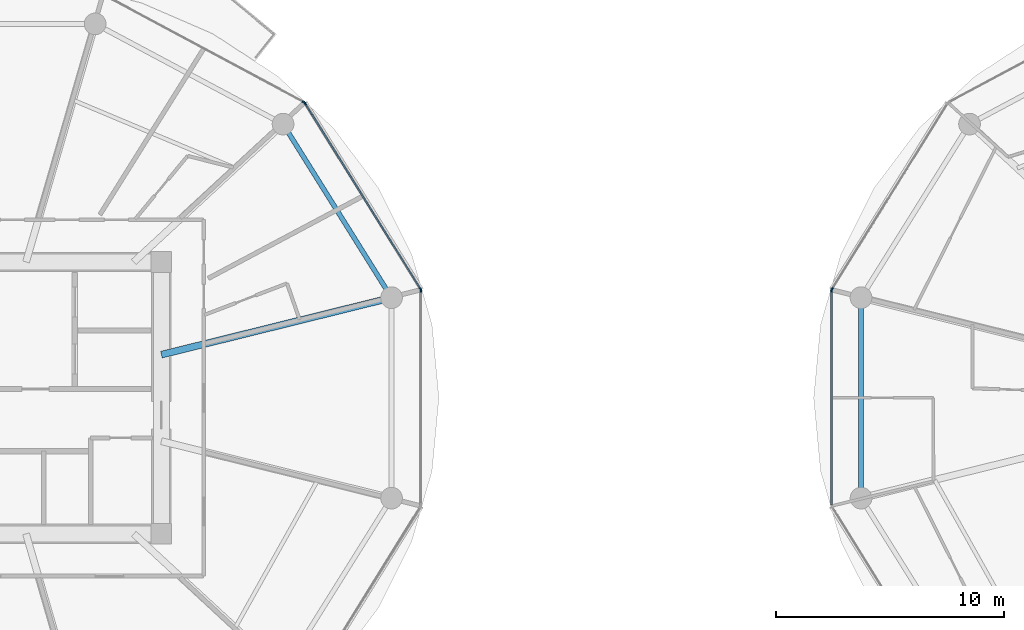
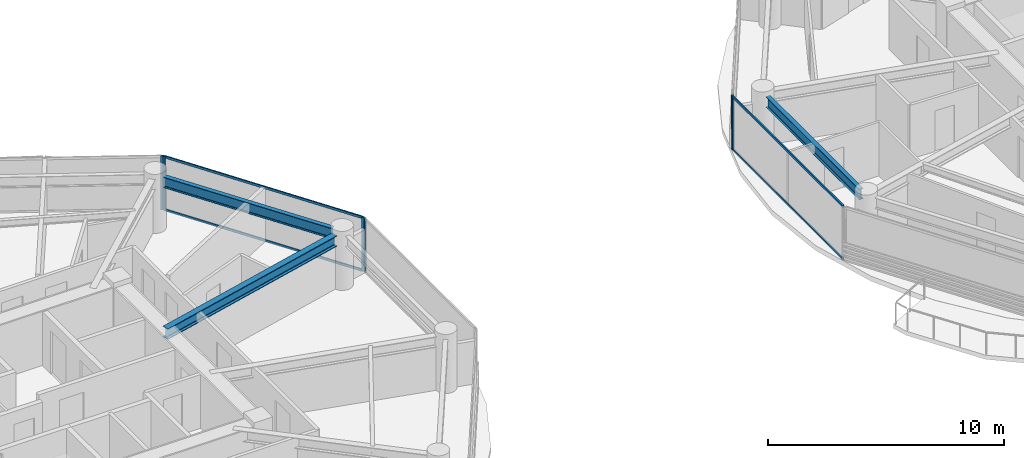
# One storey, part 7 of 26: 10 members, 3 beams, 5 elements without a shape of their own.
"""IFC4 building model written with IfcOpenShell, lengths in metres."""

import ifcopenshell
import ifcopenshell.guid

model = None  # the IFC model being written
_history = None  # IfcOwnerHistory: only IFC2X3 demands one
_inside = {}  # id of a spatial element -> (the spatial element, [elements in it])
_under = {}  # id of a project, library or spatial element -> (it, [spatial elements below it])
_declared = {}  # id of a project -> (the project, [libraries it declares])
_typed = {}  # id of a type object -> (the type object, [elements of that type])
_made_of = {}  # id of a material, layer set ... -> (it, [elements and type objects made of it])


def new_model(schema):
    """Start an empty IFC model of exactly this schema.

    Asked for "IFC4X3", IfcOpenShell would pick the latest addendum, in which some entities
    have other attributes; the version numbers below select the first issue.
    IFC2X3 requires an IfcOwnerHistory on every rooted entity: one is made here for all.
    """
    global model, _history
    if schema == "IFC4X3":
        model = ifcopenshell.file(schema_version=(4, 3, 0, 0))
    else:
        model = ifcopenshell.file(schema=schema)
    _inside.clear()
    _under.clear()
    _declared.clear()
    _typed.clear()
    _made_of.clear()
    _history = None
    if model.schema == "IFC2X3":
        org = make("IfcOrganization", Name="unknown")
        user = make(
            "IfcPersonAndOrganization",
            ThePerson=make("IfcPerson", FamilyName="unknown"),
            TheOrganization=org,
        )
        app = make(
            "IfcApplication",
            ApplicationDeveloper=org,
            Version="unknown",
            ApplicationFullName="unknown",
            ApplicationIdentifier="unknown",
        )
        _history = make(
            "IfcOwnerHistory",
            OwningUser=user,
            OwningApplication=app,
            ChangeAction="ADDED",
            CreationDate=0,
        )
    return model


def make(cls, **values):
    """One entity of the class cls with the attributes given. An attribute that is None is left unset."""
    return model.create_entity(
        cls, **{name: value for name, value in values.items() if value is not None}
    )


def rooted(cls, **values):
    """An entity with a GlobalId (a new one), such as an element, a storey or a relation."""
    return make(cls, GlobalId=ifcopenshell.guid.new(), OwnerHistory=_history, **values)


def si_unit(unit_type, name, prefix=None):
    """IfcSIUnit, for example si_unit("LENGTHUNIT", "METRE", prefix="MILLI")."""
    return make("IfcSIUnit", UnitType=unit_type, Prefix=prefix, Name=name)


def assignment(units):
    """IfcUnitAssignment: the units of a project."""
    return None if units is None else make("IfcUnitAssignment", Units=units)


def point(xyz):
    """IfcCartesianPoint."""
    return None if xyz is None else make("IfcCartesianPoint", Coordinates=xyz)


def direction(xyz):
    """IfcDirection."""
    return None if xyz is None else make("IfcDirection", DirectionRatios=xyz)


def frame(location, z_axis=None, x_axis=None):
    """IfcAxis2Placement3D, a coordinate frame: its origin and axes. An axis left out is left unset."""
    return make(
        "IfcAxis2Placement3D",
        Location=point(location),
        Axis=direction(z_axis),
        RefDirection=direction(x_axis),
    )


def frame_2d(location, x_axis=None):
    """IfcAxis2Placement2D, a coordinate frame in the plane: its origin and x axis."""
    return make(
        "IfcAxis2Placement2D", Location=point(location), RefDirection=direction(x_axis)
    )


def origin():
    """The frame at (0, 0, 0) with its axes left unset."""
    return frame((0.0, 0.0, 0.0))


def origin_2d():
    """The frame at (0, 0) in the plane with its x axis left unset."""
    return frame_2d((0.0, 0.0))


def place(relative_to, where):
    """IfcLocalPlacement: puts the frame where relative to a parent placement (None: the world)."""
    return make(
        "IfcLocalPlacement", PlacementRelTo=relative_to, RelativePlacement=where
    )


def context(
    kind, dimensions, precision=None, world=None, true_north=None, identifier=None
):
    """IfcGeometricRepresentationContext, for example the 3D "Model" context."""
    return make(
        "IfcGeometricRepresentationContext",
        ContextIdentifier=identifier,
        ContextType=kind,
        CoordinateSpaceDimension=dimensions,
        Precision=precision,
        WorldCoordinateSystem=world,
        TrueNorth=true_north,
    )


def subcontext(parent, identifier, kind, view, scale=None):
    """IfcGeometricRepresentationSubContext, for example "Body" below "Model"."""
    return make(
        "IfcGeometricRepresentationSubContext",
        ContextIdentifier=identifier,
        ContextType=kind,
        ParentContext=parent,
        TargetScale=scale,
        TargetView=view,
    )


def project(units=None, contexts=None):
    """IfcProject with its units and contexts."""
    return rooted(
        "IfcProject",
        Name="project",
        RepresentationContexts=contexts,
        UnitsInContext=assignment(units),
    )


def spatial(cls, under=None, at=None, **own):
    """A site, building, storey or space (cls), placed at a placement, below another one or the project."""
    s = rooted(cls, ObjectPlacement=at, **own)
    if under is not None:
        _under.setdefault(under.id(), (under, []))[1].append(s)
    return s


def profile(cls, at=None, kind="AREA", **sizes):
    """A parametric profile (cls). Its sizes go by their IFC names, for example OverallWidth=200.0."""
    return make(cls, ProfileType=kind, Position=at, **sizes)


def rectangle(**sizes):
    """IfcRectangleProfileDef."""
    return profile("IfcRectangleProfileDef", **sizes)


def i_section(**sizes):
    """IfcIShapeProfileDef."""
    return profile("IfcIShapeProfileDef", **sizes)


def extrude(swept, where, along, depth):
    """IfcExtrudedAreaSolid: the profile swept, set in the frame where, extruded along a direction by depth."""
    return make(
        "IfcExtrudedAreaSolid",
        SweptArea=swept,
        Position=where,
        ExtrudedDirection=direction(along),
        Depth=depth,
    )


def shape(context_of_items, identifier, shape_type, items):
    """IfcShapeRepresentation: the items that make up one representation, for example the "Body"."""
    return make(
        "IfcShapeRepresentation",
        ContextOfItems=context_of_items,
        RepresentationIdentifier=identifier,
        RepresentationType=shape_type,
        Items=items,
    )


def source(mapping_origin, context_of_items, identifier, shape_type, items):
    """IfcRepresentationMap: a shape defined once, which mapped items show again and again."""
    return make(
        "IfcRepresentationMap",
        MappingOrigin=mapping_origin,
        MappedRepresentation=shape(context_of_items, identifier, shape_type, items),
    )


def transform(
    local_origin,
    x_axis=None,
    y_axis=None,
    z_axis=None,
    scale=None,
    scale2=None,
    scale3=None,
    uniform=True,
):
    """IfcCartesianTransformationOperator3D, or its non-uniform kind. x_axis, y_axis, z_axis: its Axis1, 2, 3."""
    if uniform:
        return make(
            "IfcCartesianTransformationOperator3D",
            Axis1=direction(x_axis),
            Axis2=direction(y_axis),
            LocalOrigin=point(local_origin),
            Scale=scale,
            Axis3=direction(z_axis),
        )
    return make(
        "IfcCartesianTransformationOperator3DnonUniform",
        Axis1=direction(x_axis),
        Axis2=direction(y_axis),
        LocalOrigin=point(local_origin),
        Scale=scale,
        Axis3=direction(z_axis),
        Scale2=scale2,
        Scale3=scale3,
    )


def mapped(mapping_source, mapping_target):
    """IfcMappedItem: shows the shape of a source again, moved by a transform."""
    return make(
        "IfcMappedItem", MappingSource=mapping_source, MappingTarget=mapping_target
    )


def material(Name=None, Category=None):
    """IfcMaterial."""
    return make("IfcMaterial", Name=Name, Category=Category)


def layer(
    of_material, thickness, ventilated=None, Name=None, Category=None, Priority=None
):
    """IfcMaterialLayer: one layer of a wall or slab, of a material (None: an air gap)."""
    return make(
        "IfcMaterialLayer",
        Material=of_material,
        LayerThickness=thickness,
        IsVentilated=ventilated,
        Name=Name,
        Category=Category,
        Priority=Priority,
    )


def layer_set(layers, Name=None):
    """IfcMaterialLayerSet."""
    return make("IfcMaterialLayerSet", MaterialLayers=layers, LayerSetName=Name)


def material_profile(
    of_material, cross_section, Name=None, Category=None, Priority=None
):
    """IfcMaterialProfile: a cross section and its material."""
    return make(
        "IfcMaterialProfile",
        Name=Name,
        Material=of_material,
        Profile=cross_section,
        Priority=Priority,
        Category=Category,
    )


def profile_set(profiles, Name=None, composite=None):
    """IfcMaterialProfileSet."""
    return make(
        "IfcMaterialProfileSet",
        Name=Name,
        MaterialProfiles=profiles,
        CompositeProfile=composite,
    )


def made_of(thing, what):
    """Note that an element or type object is made of a material, layer set ...; save() writes the relation."""
    if what is not None:
        _made_of.setdefault(what.id(), (what, []))[1].append(thing)
    return thing


def type_object(cls, material=None, **own):
    """A type object (cls), such as IfcWallType, which elements share."""
    return made_of(rooted(cls, **own), material)


def type_shapes(of_type, sources):
    """Give a type object the sources (RepresentationMaps) that its elements show as mapped items."""
    of_type.RepresentationMaps = sources


def element(
    cls,
    number,
    at=None,
    inside=None,
    cuts=None,
    type_object=None,
    material=None,
    context=None,
    identifier="Body",
    shape_type=None,
    held_by="IfcProductDefinitionShape",
    body=None,
    shapes=None,
    **own,
):
    """One element of the class cls, such as IfcWall. Its Tag is "e" and its number.

    at: its placement. inside: the storey or other place that contains it. cuts: it is an
    opening in that element (IfcRelVoidsElement). A single representation is given by context,
    identifier, shape_type and body (its items); several are given by shapes. held_by: the class
    of the entity that holds the representations. save() writes the other relations.
    """
    e = rooted(cls, Tag="e%d" % number, ObjectPlacement=at, **own)
    if body is not None:
        shapes = [shape(context, identifier, shape_type, body)]
    if shapes is not None:
        e.Representation = make(held_by, Representations=shapes)
    if inside is not None:
        _inside.setdefault(inside.id(), (inside, []))[1].append(e)
    if cuts is not None:
        rooted(
            "IfcRelVoidsElement", RelatingBuildingElement=cuts, RelatedOpeningElement=e
        )
    if type_object is not None:
        _typed.setdefault(type_object.id(), (type_object, []))[1].append(e)
    return made_of(e, material)


def aggregate(whole, parts):
    """IfcRelAggregates: a whole, such as a stair, and the parts it consists of."""
    return rooted("IfcRelAggregates", RelatingObject=whole, RelatedObjects=parts)


def save(model, path):
    """Write the relations noted so far, then the file.

    IfcRelAggregates (storeys below a building ...), IfcRelContainedInSpatialStructure (elements
    in a storey), IfcRelDefinesByType, IfcRelAssociatesMaterial and IfcRelDeclares: one each for
    every whole, place, type object, material and project.
    """
    for whole, parts in _under.values():
        aggregate(whole, parts)
    for where, things in _inside.values():
        rooted(
            "IfcRelContainedInSpatialStructure",
            RelatedElements=things,
            RelatingStructure=where,
        )
    for kind, things in _typed.values():
        rooted("IfcRelDefinesByType", RelatedObjects=things, RelatingType=kind)
    for what, things in _made_of.values():
        rooted("IfcRelAssociatesMaterial", RelatedObjects=things, RelatingMaterial=what)
    for by, libraries in _declared.values():
        rooted("IfcRelDeclares", RelatingContext=by, RelatedDefinitions=libraries)
    model.write(path)


model = new_model("IFC4")

# Units and contexts
model_context = context("Model", 3, precision=1e-05, world=origin(), true_north=direction((0.0, 1.0)))
body_context = subcontext(model_context, "Body", "Model", "MODEL_VIEW")
ifc_project = project(units=[si_unit("LENGTHUNIT", "METRE"), si_unit("AREAUNIT", "SQUARE_METRE"), si_unit("VOLUMEUNIT", "CUBIC_METRE"), si_unit("PLANEANGLEUNIT", "RADIAN"), si_unit("MASSUNIT", "GRAM", prefix="KILO")], contexts=[model_context])

# Site, building, storey
site_placement = place(None, origin())
site = spatial("IfcSite", under=ifc_project, at=site_placement, CompositionType="ELEMENT")
building_placement = place(site_placement, origin())
building = spatial("IfcBuilding", under=site, at=building_placement, Name="Norrkilde Senior Care Towers", CompositionType="ELEMENT")
storey_placement = place(building_placement, frame((0.0, 0.0, 24.64990234375)))
storey = spatial("IfcBuildingStorey", under=building, at=storey_placement, Name="L06", CompositionType="ELEMENT", Elevation=24.64990234375)

# Beams
ifc_material_1 = material(Name="Steel S355", Category="steel")
ifc_material_profile_1 = material_profile(ifc_material_1, i_section(OverallWidth=0.2099609375, OverallDepth=0.550048828125, WebThickness=0.010986328125, FlangeThickness=0.01708984375, FilletRadius=0.02392578125, at=origin_2d()), Name="IPE 550")
ifc_profile_set_1 = profile_set([ifc_material_profile_1], Name="Steel S355")
beam_type_1 = type_object("IfcBeamType", Name="Perimeter Ring Spandrel Z1 IPE550", PredefinedType="SPANDREL", material=ifc_profile_set_1)
shared_shape_1 = source(origin(), body_context, "Body", "SweptSolid", [
    extrude(i_section(OverallWidth=0.2099609375, OverallDepth=0.550048828125, WebThickness=0.010986328125, FlangeThickness=0.01708984375, FilletRadius=0.02392578125, at=origin_2d()), origin(), (0.0, 0.0, 1.0), 8.090576171875),
])
beam_1_placement = place(storey_placement, frame((-10.505859375, 4.755859375, 2.51513671875), z_axis=(-0.530004364821, 0.84799491347, 0.0), x_axis=(-0.84799491347, -0.530004364821, 0.0)))
element("IfcBeam", 1, at=beam_1_placement, inside=storey, type_object=beam_type_1, Name="L06 Drum W Perimeter Spandrel 01", PredefinedType="SPANDREL", context=body_context, shape_type="MappedRepresentation", body=[
    mapped(shared_shape_1, transform((0.0, 0.0, 0.0), x_axis=(1.0, 0.0, 0.0), y_axis=(0.0, 1.0, 0.0), z_axis=(0.0, 0.0, 1.0), scale=1.0)),
])
ifc_material_profile_2 = material_profile(ifc_material_1, i_section(OverallWidth=0.300048828125, OverallDepth=0.550048828125, WebThickness=0.014892578125, FlangeThickness=0.029052734375, FilletRadius=0.027099609375, at=origin_2d()), Name="HEB 550")
ifc_profile_set_2 = profile_set([ifc_material_profile_2], Name="Steel S355")
beam_type_2 = type_object("IfcBeamType", Name="Radial Floor Beam Z1 HEB550", PredefinedType="BEAM", material=ifc_profile_set_2)
shared_shape_2 = source(origin(), body_context, "Body", "SweptSolid", [
    extrude(i_section(OverallWidth=0.300048828125, OverallDepth=0.550048828125, WebThickness=0.014892578125, FlangeThickness=0.029052734375, FilletRadius=0.027099609375, at=origin_2d()), origin(), (0.0, 0.0, 1.0), 9.94384765625),
])
type_shapes(beam_type_2, [shared_shape_2])
beam_2_placement = place(storey_placement, frame((-20.35009765625, 1.893310546875, 2.51513671875), z_axis=(0.970707425182, 0.240264634718, 0.0), x_axis=(-0.240264634718, 0.970707425182, 0.0)))
element("IfcBeam", 2, at=beam_2_placement, inside=storey, type_object=beam_type_2, Name="L06 Drum W Radial Floor Beam 01", PredefinedType="BEAM", context=body_context, shape_type="MappedRepresentation", body=[
    mapped(shared_shape_2, transform((0.0, 0.0, 0.0), x_axis=(1.0, 0.0, 0.0), y_axis=(0.0, 1.0, 0.0), z_axis=(0.0, 0.0, 1.0), scale=1.0)),
])
shared_shape_3 = source(origin(), body_context, "Body", "SweptSolid", [
    extrude(i_section(OverallWidth=0.2099609375, OverallDepth=0.550048828125, WebThickness=0.010986328125, FlangeThickness=0.01708984375, FilletRadius=0.02392578125, at=origin_2d()), origin(), (0.0, 0.0, 1.0), 7.90380859375),
])
type_shapes(beam_type_1, [shared_shape_1, shared_shape_3])
beam_3_placement = place(storey_placement, frame((10.275146484375, 3.951904296875, 2.51513671875), z_axis=(0.0, -1.0, 0.0), x_axis=(1.0, 0.0, 0.0)))
element("IfcBeam", 3, at=beam_3_placement, inside=storey, type_object=beam_type_1, Name="L06 Drum E Perimeter Spandrel 06", PredefinedType="SPANDREL", context=body_context, shape_type="MappedRepresentation", body=[
    mapped(shared_shape_3, transform((0.0, 0.0, 0.0), x_axis=(1.0, 0.0, 0.0), y_axis=(0.0, 1.0, 0.0), z_axis=(0.0, 0.0, 1.0), scale=1.0)),
])

# Curtain wall, members
ifc_material_2 = material(Name="Triple Low-E Insulated Glazing", Category="glass")
ifc_layer = layer(ifc_material_2, 0.199951171875)
ifc_layer_set = layer_set([ifc_layer], Name="Triple Low-E Insulated Glazing")
curtain_wall_type = type_object("IfcCurtainWallType", Name="CW2 Zone 1 Memory Care Curtain Wall", PredefinedType="NOTDEFINED", material=ifc_layer_set)
curtain_wall_1_placement = place(storey_placement, origin())
curtain_wall_1 = element("IfcCurtainWall", 4, at=curtain_wall_1_placement, inside=storey, type_object=curtain_wall_type, Name="L06 Drum W Curtain Wall 00", PredefinedType="NOTDEFINED")
ifc_material_3 = material(Name="Anodised Aluminium", Category="aluminium")
ifc_material_profile_3 = material_profile(ifc_material_3, rectangle(XDim=0.06494140625, YDim=0.159912109375, at=origin_2d()), Name="ALU MULL 65x160")
ifc_profile_set_3 = profile_set([ifc_material_profile_3], Name="Anodised Aluminium")
member_type_1 = type_object("IfcMemberType", Name="Curtain Wall Mullion Z1-Z2 65x160", PredefinedType="MULLION", material=ifc_profile_set_3)
shared_shape_4 = source(origin(), body_context, "Body", "SweptSolid", [
    extrude(rectangle(XDim=0.06494140625, YDim=0.159912109375, at=origin_2d()), origin(), (0.0, 0.0, 1.0), 2.7900390625),
])
type_shapes(member_type_1, [shared_shape_4])
member_1_placement = place(storey_placement, frame((-14.06689453125, 12.898193359375, 0.0), z_axis=(0.0, 0.0, 1.0), x_axis=(0.849305943117, 0.527900951871, 0.0)))
member_1 = element("IfcMember", 5, at=member_1_placement, type_object=member_type_1, Name="CW-2 mullion 1", PredefinedType="MULLION", context=body_context, shape_type="MappedRepresentation", body=[
    mapped(shared_shape_4, transform((0.0, 0.0, 0.0), x_axis=(1.0, 0.0, 0.0), y_axis=(0.0, 1.0, 0.0), z_axis=(0.0, 0.0, 1.0), scale=1.0)),
])
member_2_placement = place(storey_placement, frame((-9.0078125, 4.7587890625, 0.0), z_axis=(0.0, 0.0, 1.0), x_axis=(0.849305943117, 0.527900951871, 0.0)))
member_2 = element("IfcMember", 6, at=member_2_placement, type_object=member_type_1, Name="CW-2 mullion 2", PredefinedType="MULLION", context=body_context, shape_type="MappedRepresentation", body=[
    mapped(shared_shape_4, transform((0.0, 0.0, 0.0), x_axis=(1.0, 0.0, 0.0), y_axis=(0.0, 1.0, 0.0), z_axis=(0.0, 0.0, 1.0), scale=1.0)),
])

# Curtain wall, member
curtain_wall_2_placement = place(storey_placement, origin())
curtain_wall_2 = element("IfcCurtainWall", 7, at=curtain_wall_2_placement, inside=storey, type_object=curtain_wall_type, Name="L06 Drum W Curtain Wall 01", PredefinedType="NOTDEFINED")
member_3_placement = place(storey_placement, frame((-14.11279296875, 12.941162109375, 0.0), z_axis=(0.0, 0.0, 1.0), x_axis=(0.472607802456, 0.881272866403, 0.0)))
member_3 = element("IfcMember", 8, at=member_3_placement, type_object=member_type_1, Name="CW-2 mullion 2", PredefinedType="MULLION", context=body_context, shape_type="MappedRepresentation", body=[
    mapped(shared_shape_4, transform((0.0, 0.0, 0.0), x_axis=(1.0, 0.0, 0.0), y_axis=(0.0, 1.0, 0.0), z_axis=(0.0, 0.0, 1.0), scale=1.0)),
])
aggregate(curtain_wall_2, [member_3])

curtain_wall_3_placement = place(storey_placement, origin())
curtain_wall_3 = element("IfcCurtainWall", 9, at=curtain_wall_3_placement, inside=storey, type_object=curtain_wall_type, Name="L06 Drum W Curtain Wall 11", PredefinedType="NOTDEFINED")
member_4_placement = place(storey_placement, frame((-8.990478515625, 4.69873046875, 0.0), z_axis=(0.0, 0.0, 1.0), x_axis=(1.0, 0.0, 0.0)))
member_4 = element("IfcMember", 10, at=member_4_placement, type_object=member_type_1, Name="CW-2 mullion 1", PredefinedType="MULLION", context=body_context, shape_type="MappedRepresentation", body=[
    mapped(shared_shape_4, transform((0.0, 0.0, 0.0), x_axis=(1.0, 0.0, 0.0), y_axis=(0.0, 1.0, 0.0), z_axis=(0.0, 0.0, 1.0), scale=1.0)),
])
aggregate(curtain_wall_3, [member_4])

curtain_wall_4_placement = place(storey_placement, origin())
curtain_wall_4 = element("IfcCurtainWall", 11, at=curtain_wall_4_placement, inside=storey, type_object=curtain_wall_type, Name="L06 Drum E Curtain Wall 04", PredefinedType="NOTDEFINED")
member_5_placement = place(storey_placement, frame((9.0078125, 4.7587890625, 0.0), z_axis=(0.0, 0.0, 1.0), x_axis=(-0.849305943117, 0.527900951871, 0.0)))
member_5 = element("IfcMember", 12, at=member_5_placement, type_object=member_type_1, Name="CW-2 mullion 1", PredefinedType="MULLION", context=body_context, shape_type="MappedRepresentation", body=[
    mapped(shared_shape_4, transform((0.0, 0.0, 0.0), x_axis=(1.0, 0.0, 0.0), y_axis=(0.0, 1.0, 0.0), z_axis=(0.0, 0.0, 1.0), scale=1.0)),
])
aggregate(curtain_wall_4, [member_5])

curtain_wall_5_placement = place(storey_placement, origin())
curtain_wall_5 = element("IfcCurtainWall", 13, at=curtain_wall_5_placement, inside=storey, type_object=curtain_wall_type, Name="L06 Drum E Curtain Wall 05", PredefinedType="NOTDEFINED")
member_6_placement = place(storey_placement, frame((8.990478515625, 4.69873046875, 0.0), z_axis=(0.0, 0.0, 1.0), x_axis=(-1.0, 0.0, 0.0)))
member_6 = element("IfcMember", 14, at=member_6_placement, type_object=member_type_1, Name="CW-2 mullion 2", PredefinedType="MULLION", context=body_context, shape_type="MappedRepresentation", body=[
    mapped(shared_shape_4, transform((0.0, 0.0, 0.0), x_axis=(1.0, 0.0, 0.0), y_axis=(0.0, 1.0, 0.0), z_axis=(0.0, 0.0, 1.0), scale=1.0)),
])

# Member
ifc_material_profile_4 = material_profile(ifc_material_3, rectangle(XDim=0.06005859375, YDim=0.1201171875, at=origin_2d()), Name="ALU TRAN 60x120")
ifc_profile_set_4 = profile_set([ifc_material_profile_4], Name="Anodised Aluminium")
member_type_2 = type_object("IfcMemberType", Name="Curtain Wall Transom Typical 60x120", PredefinedType="USERDEFINED", material=ifc_profile_set_4)
shared_shape_5 = source(origin(), body_context, "Body", "SweptSolid", [
    extrude(rectangle(XDim=0.06005859375, YDim=0.1201171875, at=origin_2d()), origin(), (0.0, 0.0, 1.0), 9.5185546875),
])
member_7_placement = place(storey_placement, frame((-14.0498046875, 12.87060546875, 0.030029296875), z_axis=(0.527901620669, -0.849305527413, 0.0), x_axis=(0.849305527413, 0.527901620669, 0.0)))
member_7 = element("IfcMember", 15, at=member_7_placement, type_object=member_type_2, Name="CW-2 transom 1.1", ObjectType="TRANSOM", PredefinedType="USERDEFINED", context=body_context, shape_type="MappedRepresentation", body=[
    mapped(shared_shape_5, transform((0.0, 0.0, 0.0), x_axis=(1.0, 0.0, 0.0), y_axis=(0.0, 1.0, 0.0), z_axis=(0.0, 0.0, 1.0), scale=1.0)),
])

member_8_placement = place(storey_placement, frame((-14.0498046875, 12.87060546875, 2.760009765625), z_axis=(0.527901620669, -0.849305527413, 0.0), x_axis=(0.849305527413, 0.527901620669, 0.0)))
member_8 = element("IfcMember", 16, at=member_8_placement, type_object=member_type_2, Name="CW-2 transom 1.2", ObjectType="TRANSOM", PredefinedType="USERDEFINED", context=body_context, shape_type="MappedRepresentation", body=[
    mapped(shared_shape_5, transform((0.0, 0.0, 0.0), x_axis=(1.0, 0.0, 0.0), y_axis=(0.0, 1.0, 0.0), z_axis=(0.0, 0.0, 1.0), scale=1.0)),
])

aggregate(curtain_wall_1, [member_1, member_2, member_7, member_8])

shared_shape_6 = source(origin(), body_context, "Body", "SweptSolid", [
    extrude(rectangle(XDim=0.06005859375, YDim=0.1201171875, at=origin_2d()), origin(), (0.0, 0.0, 1.0), 9.33251953125),
])
type_shapes(member_type_2, [shared_shape_5, shared_shape_6])
member_9_placement = place(storey_placement, frame((8.990478515625, -4.666259765625, 0.030029296875), z_axis=(0.0, 1.0, 0.0), x_axis=(-1.0, 0.0, 0.0)))
member_9 = element("IfcMember", 17, at=member_9_placement, type_object=member_type_2, Name="CW-2 transom 1.1", ObjectType="TRANSOM", PredefinedType="USERDEFINED", context=body_context, shape_type="MappedRepresentation", body=[
    mapped(shared_shape_6, transform((0.0, 0.0, 0.0), x_axis=(1.0, 0.0, 0.0), y_axis=(0.0, 1.0, 0.0), z_axis=(0.0, 0.0, 1.0), scale=1.0)),
])

member_10_placement = place(storey_placement, frame((8.990478515625, -4.666259765625, 2.760009765625), z_axis=(0.0, 1.0, 0.0), x_axis=(-1.0, 0.0, 0.0)))
member_10 = element("IfcMember", 18, at=member_10_placement, type_object=member_type_2, Name="CW-2 transom 1.2", ObjectType="TRANSOM", PredefinedType="USERDEFINED", context=body_context, shape_type="MappedRepresentation", body=[
    mapped(shared_shape_6, transform((0.0, 0.0, 0.0), x_axis=(1.0, 0.0, 0.0), y_axis=(0.0, 1.0, 0.0), z_axis=(0.0, 0.0, 1.0), scale=1.0)),
])

aggregate(curtain_wall_5, [member_6, member_9, member_10])

save(model, "model.ifc")
